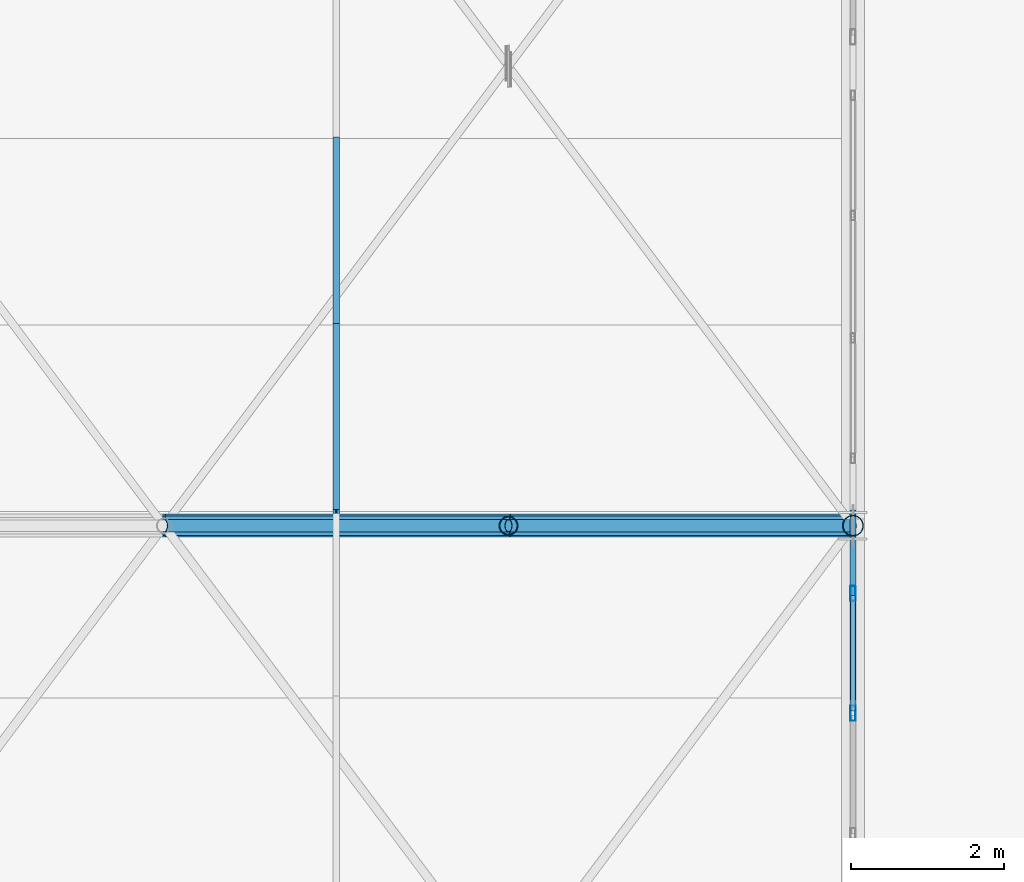
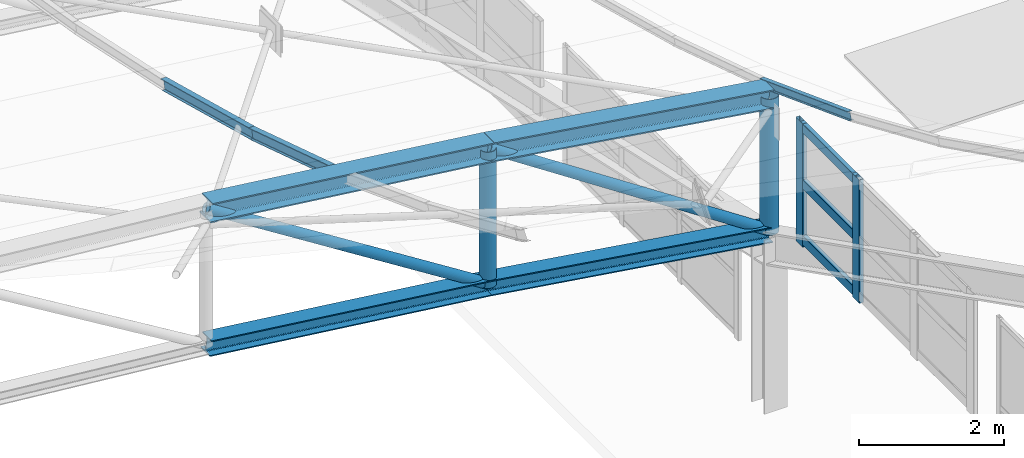
# One storey, part 76 of 262: 16 members, 1 element without a shape of its own.
"""IFC4 building model written with IfcOpenShell, lengths in metres."""

from ifc_helpers import new_model, si_unit, derived_unit, direction, frame, origin, origin_2d, place, context, subcontext, project, spatial, hollow_rectangle, hollow_circle, i_section, extrude, material, layer, layer_set, material_profile, profile_set, type_object, element, aggregate, save


model = new_model("IFC4")

# Units and contexts
model_context = context("Model", 3, precision=1e-05, world=origin(), true_north=direction((0.0, 1.0)))
body_context = subcontext(model_context, "Body", "Model", "MODEL_VIEW")
ifc_project = project(units=[si_unit("LENGTHUNIT", "METRE"), si_unit("AREAUNIT", "SQUARE_METRE"), si_unit("VOLUMEUNIT", "CUBIC_METRE"), si_unit("PLANEANGLEUNIT", "RADIAN"), si_unit("MASSUNIT", "GRAM", prefix="KILO"), derived_unit("THERMALTRANSMITTANCEUNIT", [(si_unit("POWERUNIT", "WATT"), 1), (si_unit("LENGTHUNIT", "METRE"), -2), (si_unit("THERMODYNAMICTEMPERATUREUNIT", "KELVIN"), -1)])], contexts=[model_context])

# Site, building, storey
site_placement = place(None, origin())
site = spatial("IfcSite", under=ifc_project, at=site_placement, CompositionType="ELEMENT")
building_placement = place(site_placement, origin())
building = spatial("IfcBuilding", under=site, at=building_placement, Name="Almenara Railside Exhibition Hall", CompositionType="ELEMENT")
storey_placement = place(building_placement, frame((0.0, 0.0, 21.699951171875)))
storey = spatial("IfcBuildingStorey", under=building, at=storey_placement, Name="RF", CompositionType="ELEMENT", Elevation=21.699951171875)

# Members
ifc_material_1 = material(Name="Structural steel S355JR", Category="steel")
ifc_material_profile_1 = material_profile(ifc_material_1, i_section(OverallWidth=0.260009765625, OverallDepth=0.260009765625, WebThickness=0.010009765625, FlangeThickness=0.017578125, FilletRadius=0.02392578125, at=origin_2d()), Name="HEB 260")
ifc_profile_set_1 = profile_set([ifc_material_profile_1], Name="Structural steel S355JR")
member_type_1 = type_object("IfcMemberType", Name="Arched Truss Bottom Chord HEB 260 S355JR", PredefinedType="CHORD", material=ifc_profile_set_1)
member_1_placement = place(storey_placement, frame((57.0, 60.0, 1.763427734375), z_axis=(0.992612220818, 0.0, -0.121330041965), x_axis=(0.0, 1.0, 0.0)))
element("IfcMember", 1, at=member_1_placement, inside=storey, type_object=member_type_1, Name="MEM-BC-V1-01-10", PredefinedType="CHORD", context=body_context, shape_type="SweptSolid", body=[
    extrude(i_section(OverallWidth=0.260009765625, OverallDepth=0.260009765625, WebThickness=0.010009765625, FlangeThickness=0.017578125, FilletRadius=0.02392578125, at=origin_2d()), origin(), (0.0, 0.0, 1.0), 4.533447265625),
])
member_2_placement = place(storey_placement, frame((61.5, 60.0, 1.21337890625), z_axis=(0.9890290442, 0.0, -0.147721189165), x_axis=(0.0, 1.0, 0.0)))
element("IfcMember", 2, at=member_2_placement, inside=storey, type_object=member_type_1, Name="MEM-BC-V1-01-11", PredefinedType="CHORD", context=body_context, shape_type="SweptSolid", body=[
    extrude(i_section(OverallWidth=0.260009765625, OverallDepth=0.260009765625, WebThickness=0.010009765625, FlangeThickness=0.017578125, FilletRadius=0.02392578125, at=origin_2d()), origin(), (0.0, 0.0, 1.0), 4.5498046875),
])
ifc_material_profile_2 = material_profile(ifc_material_1, i_section(OverallWidth=0.300048828125, OverallDepth=0.320068359375, WebThickness=0.011474609375, FlangeThickness=0.0205078125, FilletRadius=0.027099609375, at=origin_2d()), Name="HEB 320")
ifc_profile_set_2 = profile_set([ifc_material_profile_2], Name="Structural steel S355JR")
member_type_2 = type_object("IfcMemberType", Name="Arched Truss Top Chord HEB 320 S355JR", PredefinedType="CHORD", material=ifc_profile_set_2)
member_3_placement = place(storey_placement, frame((57.0, 60.0, 4.0634765625), z_axis=(0.992612220818, 0.0, -0.121330041965), x_axis=(0.0, 1.0, 0.0)))
element("IfcMember", 3, at=member_3_placement, inside=storey, type_object=member_type_2, Name="MEM-TC-V1-01-10", PredefinedType="CHORD", context=body_context, shape_type="SweptSolid", body=[
    extrude(i_section(OverallWidth=0.300048828125, OverallDepth=0.320068359375, WebThickness=0.011474609375, FlangeThickness=0.0205078125, FilletRadius=0.027099609375, at=origin_2d()), origin(), (0.0, 0.0, 1.0), 4.533447265625),
])
member_4_placement = place(storey_placement, frame((61.5, 60.0, 3.513427734375), z_axis=(0.9890290442, 0.0, -0.147721189165), x_axis=(0.0, 1.0, 0.0)))
element("IfcMember", 4, at=member_4_placement, inside=storey, type_object=member_type_2, Name="MEM-TC-V1-01-11", PredefinedType="CHORD", context=body_context, shape_type="SweptSolid", body=[
    extrude(i_section(OverallWidth=0.300048828125, OverallDepth=0.320068359375, WebThickness=0.011474609375, FlangeThickness=0.0205078125, FilletRadius=0.027099609375, at=origin_2d()), origin(), (0.0, 0.0, 1.0), 4.5498046875),
])
ifc_material_profile_3 = material_profile(ifc_material_1, i_section(OverallWidth=0.072998046875, OverallDepth=0.139892578125, WebThickness=0.004638671875, FlangeThickness=0.0068359375, FilletRadius=0.007080078125, at=origin_2d()), Name="IPE 140")
ifc_profile_set_3 = profile_set([ifc_material_profile_3], Name="Structural steel S355JR")
member_type_3 = type_object("IfcMemberType", Name="Canopy Edge Purlin IPE 140 S355JR", PredefinedType="PURLIN", material=ifc_profile_set_3)
member_5_placement = place(storey_placement, frame((66.0, 57.746826171875, 3.839111328125), z_axis=(0.0, 0.936171044044, -0.351544842508), x_axis=(-1.0, 0.0, 0.0)))
element("IfcMember", 5, at=member_5_placement, inside=storey, type_object=member_type_3, Name="MEM-PR-V1-PR-IPE140-08-04", PredefinedType="PURLIN", context=body_context, shape_type="SweptSolid", body=[
    extrude(i_section(OverallWidth=0.072998046875, OverallDepth=0.139892578125, WebThickness=0.004638671875, FlangeThickness=0.0068359375, FilletRadius=0.007080078125, at=origin_2d()), origin(), (0.0, 0.0, 1.0), 2.60302734375),
])

# Curtain wall, members
ifc_material_2 = material(Name="Bronze-anodised aluminium and low-E double glazing", Category="aluminium")
ifc_layer = layer(ifc_material_2, 0.179931640625, Name="Bronze-anodised aluminium and low-E double glazing")
ifc_layer_set = layer_set([ifc_layer], Name="Bronze-anodised aluminium and low-E double glazing")
curtain_wall_type = type_object("IfcCurtainWallType", Name="West Hall Clerestory Curtain Wall 4200x2400", PredefinedType="NOTDEFINED", material=ifc_layer_set)
curtain_wall_placement = place(storey_placement, origin())
curtain_wall = element("IfcCurtainWall", 6, at=curtain_wall_placement, inside=storey, type_object=curtain_wall_type, Name="Curtain wall CW-CL1-171", PredefinedType="NOTDEFINED")
ifc_material_3 = material(Name="Bronze-anodised aluminium", Category="aluminium")
ifc_material_profile_4 = material_profile(ifc_material_3, hollow_rectangle(XDim=0.070068359375, YDim=0.199951171875, WallThickness=0.00439453125, InnerFilletRadius=0.00439453125, OuterFilletRadius=0.009033203125, at=origin_2d()), Name="ALU-MUL 70x200x4.5")
ifc_profile_set_4 = profile_set([ifc_material_profile_4], Name="Bronze-anodised aluminium")
member_type_4 = type_object("IfcMemberType", Name="Curtain Wall Mullion 70x200x4.5", PredefinedType="MULLION", material=ifc_profile_set_4)
member_6_placement = place(storey_placement, frame((66.0, 57.550048828125, 0.85498046875), z_axis=(0.0, 0.0, 1.0), x_axis=(-1.0, 0.0, 0.0)))
member_6 = element("IfcMember", 7, at=member_6_placement, type_object=member_type_4, Name="CW-CL1-171 mullion 3", PredefinedType="MULLION", context=body_context, shape_type="SweptSolid", body=[
    extrude(hollow_rectangle(XDim=0.070068359375, YDim=0.199951171875, WallThickness=0.00439453125, InnerFilletRadius=0.00439453125, OuterFilletRadius=0.009033203125, at=origin_2d()), origin(), (0.0, 0.0, 1.0), 2.0849609375),
])
member_7_placement = place(storey_placement, frame((66.0, 59.114990234375, 0.85498046875), z_axis=(0.0, 0.0, 1.0), x_axis=(-1.0, 0.0, 0.0)))
member_7 = element("IfcMember", 8, at=member_7_placement, type_object=member_type_4, Name="CW-CL1-171 mullion 4", PredefinedType="MULLION", context=body_context, shape_type="SweptSolid", body=[
    extrude(hollow_rectangle(XDim=0.070068359375, YDim=0.199951171875, WallThickness=0.00439453125, InnerFilletRadius=0.00439453125, OuterFilletRadius=0.009033203125, at=origin_2d()), origin(), (0.0, 0.0, 1.0), 2.0849609375),
])
ifc_material_profile_5 = material_profile(ifc_material_3, hollow_rectangle(XDim=0.070068359375, YDim=0.159912109375, WallThickness=0.00390625, InnerFilletRadius=0.00390625, OuterFilletRadius=0.008056640625, at=origin_2d()), Name="ALU-TRN 70x160x4")
ifc_profile_set_5 = profile_set([ifc_material_profile_5], Name="Bronze-anodised aluminium")
member_type_5 = type_object("IfcMemberType", Name="Curtain Wall Transom 70x160x4", PredefinedType="USERDEFINED", material=ifc_profile_set_5)
member_8_placement = place(storey_placement, frame((66.0, 57.576904296875, 0.969970703125), z_axis=(0.0, 1.0, 0.0), x_axis=(-1.0, 0.0, 0.0)))
member_8 = element("IfcMember", 9, at=member_8_placement, type_object=member_type_5, Name="CW-CL1-171 transom 3.1", ObjectType="TRANSOM", PredefinedType="USERDEFINED", context=body_context, shape_type="SweptSolid", body=[
    extrude(hollow_rectangle(XDim=0.070068359375, YDim=0.159912109375, WallThickness=0.00390625, InnerFilletRadius=0.00390625, OuterFilletRadius=0.008056640625, at=origin_2d()), origin(), (0.0, 0.0, 1.0), 1.510986328125),
])
member_9_placement = place(storey_placement, frame((66.0, 57.576904296875, 1.9150390625), z_axis=(0.0, 1.0, 0.0), x_axis=(-1.0, 0.0, 0.0)))
member_9 = element("IfcMember", 10, at=member_9_placement, type_object=member_type_5, Name="CW-CL1-171 transom 3.2", ObjectType="TRANSOM", PredefinedType="USERDEFINED", context=body_context, shape_type="SweptSolid", body=[
    extrude(hollow_rectangle(XDim=0.070068359375, YDim=0.159912109375, WallThickness=0.00390625, InnerFilletRadius=0.00390625, OuterFilletRadius=0.008056640625, at=origin_2d()), origin(), (0.0, 0.0, 1.0), 1.510986328125),
])
member_10_placement = place(storey_placement, frame((66.0, 57.576904296875, 2.860107421875), z_axis=(0.0, 1.0, 0.0), x_axis=(-1.0, 0.0, 0.0)))
member_10 = element("IfcMember", 11, at=member_10_placement, type_object=member_type_5, Name="CW-CL1-171 transom 3.3", ObjectType="TRANSOM", PredefinedType="USERDEFINED", context=body_context, shape_type="SweptSolid", body=[
    extrude(hollow_rectangle(XDim=0.070068359375, YDim=0.159912109375, WallThickness=0.00390625, InnerFilletRadius=0.00390625, OuterFilletRadius=0.008056640625, at=origin_2d()), origin(), (0.0, 0.0, 1.0), 1.510986328125),
])
aggregate(curtain_wall, [member_6, member_7, member_8, member_9, member_10])

# Members
ifc_material_profile_6 = material_profile(ifc_material_1, i_section(OverallWidth=0.091064453125, OverallDepth=0.179931640625, WebThickness=0.00537109375, FlangeThickness=0.008056640625, FilletRadius=0.009033203125, at=origin_2d()), Name="IPE 180")
ifc_profile_set_6 = profile_set([ifc_material_profile_6], Name="Structural steel S355JR")
member_type_6 = type_object("IfcMemberType", Name="Plenary Roof Purlin IPE 180 S355JR", PredefinedType="PURLIN", material=ifc_profile_set_6)
member_11_placement = place(storey_placement, frame((59.25, 60.18359375, 3.734375), z_axis=(0.0, 0.952468462339, -0.304637207594), x_axis=(-1.0, 0.0, 0.0)))
element("IfcMember", 12, at=member_11_placement, inside=storey, type_object=member_type_6, Name="MEM-PR-V1-PR-IPE180-07-05", PredefinedType="PURLIN", context=body_context, shape_type="SweptSolid", body=[
    extrude(i_section(OverallWidth=0.091064453125, OverallDepth=0.179931640625, WebThickness=0.00537109375, FlangeThickness=0.008056640625, FilletRadius=0.009033203125, at=origin_2d()), origin(), (0.0, 0.0, 1.0), 2.55810546875),
])
member_12_placement = place(storey_placement, frame((59.25, 62.6201171875, 2.959228515625), z_axis=(0.0, 0.966201190487, -0.257789176462), x_axis=(-1.0, 0.0, 0.0)))
element("IfcMember", 13, at=member_12_placement, inside=storey, type_object=member_type_6, Name="MEM-PR-V1-PR-IPE180-07-06", PredefinedType="PURLIN", context=body_context, shape_type="SweptSolid", body=[
    extrude(i_section(OverallWidth=0.091064453125, OverallDepth=0.179931640625, WebThickness=0.00537109375, FlangeThickness=0.008056640625, FilletRadius=0.009033203125, at=origin_2d()), origin(), (0.0, 0.0, 1.0), 2.52197265625),
])
ifc_material_profile_7 = material_profile(ifc_material_1, hollow_circle(Radius=0.084228515625, WallThickness=0.006103515625, at=origin_2d()), Name="CHS 168.3x6")
ifc_profile_set_7 = profile_set([ifc_material_profile_7], Name="Structural steel S355JR")
member_type_7 = type_object("IfcMemberType", Name="Truss End Diagonal CHS 168.3x6 S355JR", PredefinedType="BRACE", material=ifc_profile_set_7)
member_13_placement = place(storey_placement, frame((57.0, 60.0, 4.0634765625), z_axis=(0.844810788273, 0.0, -0.535065166141), x_axis=(0.0, 1.0, 0.0)))
element("IfcMember", 14, at=member_13_placement, inside=storey, type_object=member_type_7, Name="MEM-TD-V1-01-10", PredefinedType="BRACE", context=body_context, shape_type="SweptSolid", body=[
    extrude(hollow_circle(Radius=0.084228515625, WallThickness=0.006103515625, at=origin_2d()), origin(), (0.0, 0.0, 1.0), 5.32666015625),
])
member_14_placement = place(storey_placement, frame((61.5, 60.0, 3.513427734375), z_axis=(0.834424544227, 0.0, -0.551122200598), x_axis=(0.0, 1.0, 0.0)))
element("IfcMember", 15, at=member_14_placement, inside=storey, type_object=member_type_7, Name="MEM-TD-V1-01-11", PredefinedType="BRACE", context=body_context, shape_type="SweptSolid", body=[
    extrude(hollow_circle(Radius=0.084228515625, WallThickness=0.006103515625, at=origin_2d()), origin(), (0.0, 0.0, 1.0), 5.392822265625),
])
ifc_material_profile_8 = material_profile(ifc_material_1, hollow_circle(Radius=0.122314453125, WallThickness=0.008056640625, at=origin_2d()), Name="CHS 244.5x8")
ifc_profile_set_8 = profile_set([ifc_material_profile_8], Name="Structural steel S355JR")
member_type_8 = type_object("IfcMemberType", Name="Truss Haunch Vertical Strut CHS 244.5x8 S355JR", PredefinedType="BRACE", material=ifc_profile_set_8)
member_15_placement = place(storey_placement, frame((61.5, 60.0, 1.21337890625), z_axis=(0.0, 0.0, 1.0), x_axis=(1.0, 0.0, 0.0)))
element("IfcMember", 16, at=member_15_placement, inside=storey, type_object=member_type_8, Name="MEM-TV-V1-01-11", PredefinedType="BRACE", context=body_context, shape_type="SweptSolid", body=[
    extrude(hollow_circle(Radius=0.122314453125, WallThickness=0.008056640625, at=origin_2d()), origin(), (0.0, 0.0, 1.0), 2.300048828125),
])
ifc_material_profile_9 = material_profile(ifc_material_1, hollow_circle(Radius=0.136474609375, WallThickness=0.008056640625, at=origin_2d()), Name="CHS 273x8")
ifc_profile_set_9 = profile_set([ifc_material_profile_9], Name="Structural steel S355JR")
member_type_9 = type_object("IfcMemberType", Name="Truss Support Vertical Strut CHS 273x8 S355JR", PredefinedType="BRACE", material=ifc_profile_set_9)
member_16_placement = place(storey_placement, frame((66.0, 60.0, 0.541259765625), z_axis=(0.0, 0.0, 1.0), x_axis=(1.0, 0.0, 0.0)))
element("IfcMember", 17, at=member_16_placement, inside=storey, type_object=member_type_9, Name="MEM-TV-V1-01-12", PredefinedType="BRACE", context=body_context, shape_type="SweptSolid", body=[
    extrude(hollow_circle(Radius=0.136474609375, WallThickness=0.008056640625, at=origin_2d()), origin(), (0.0, 0.0, 1.0), 2.300048828125),
])

save(model, "model.ifc")
